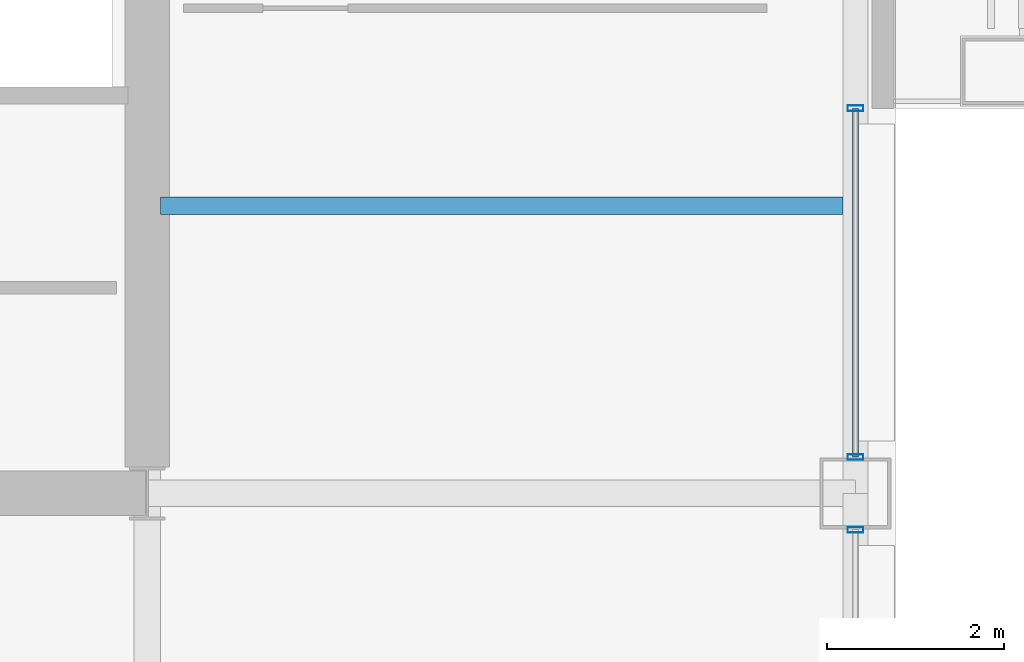
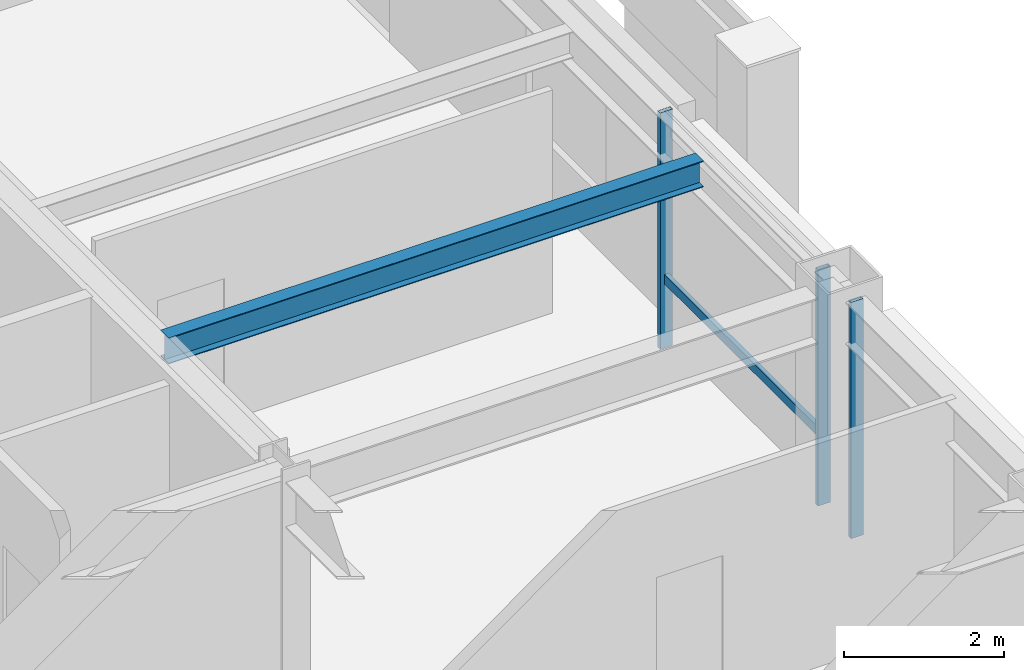
# One storey, part 14 of 29: 4 members, 1 beam, 2 elements without a shape of their own.
"""IFC4 building model written with IfcOpenShell, lengths in metres."""

from ifc_helpers import new_model, si_unit, direction, frame, origin, origin_2d, place, context, subcontext, project, spatial, hollow_rectangle, i_section, extrude, material, layer, layer_set, material_profile, profile_set, type_object, element, aggregate, save


model = new_model("IFC4")

# Units and contexts
model_context = context("Model", 3, precision=1e-05, world=origin(), true_north=direction((0.0, 1.0)))
body_context = subcontext(model_context, "Body", "Model", "MODEL_VIEW")
ifc_project = project(units=[si_unit("LENGTHUNIT", "METRE"), si_unit("AREAUNIT", "SQUARE_METRE"), si_unit("VOLUMEUNIT", "CUBIC_METRE"), si_unit("PLANEANGLEUNIT", "RADIAN"), si_unit("MASSUNIT", "GRAM", prefix="KILO")], contexts=[model_context])

# Site, building, storey
site_placement = place(None, origin())
site = spatial("IfcSite", under=ifc_project, at=site_placement, CompositionType="ELEMENT")
building_placement = place(site_placement, origin())
building = spatial("IfcBuilding", under=site, at=building_placement, Name="Brelmoor Portico Tower", CompositionType="ELEMENT")
storey_placement = place(building_placement, frame((0.0, 0.0, 127.800048828125)))
storey = spatial("IfcBuildingStorey", under=building, at=storey_placement, Name="L33", CompositionType="ELEMENT", Elevation=127.800048828125)

# Beam
ifc_material_1 = material(Name="Steel Q355B", Category="steel")
ifc_material_profile_1 = material_profile(ifc_material_1, i_section(OverallWidth=0.199951171875, OverallDepth=0.39990234375, WebThickness=0.008056640625, FlangeThickness=0.012939453125, at=origin_2d()), Name="HN 400x200x8x13")
ifc_profile_set_1 = profile_set([ifc_material_profile_1], Name="Steel Q355B")
beam_type = type_object("IfcBeamType", Name="BM-JS-400", PredefinedType="JOIST", material=ifc_profile_set_1)
beam_placement = place(storey_placement, frame((14.699951171875, -6.5, 3.199951171875), z_axis=(1.0, 0.0, 0.0), x_axis=(0.0, 1.0, 0.0)))
element("IfcBeam", 1, at=beam_placement, inside=storey, type_object=beam_type, Name="L33 Secondary Wing Joist JS-E09", PredefinedType="JOIST", context=body_context, shape_type="SweptSolid", body=[
    extrude(i_section(OverallWidth=0.199951171875, OverallDepth=0.39990234375, WebThickness=0.008056640625, FlangeThickness=0.012939453125, at=origin_2d()), origin(), (0.0, 0.0, 1.0), 7.7099609375),
])

# Curtain wall, member
ifc_material_2 = material(Name="Anodised Aluminium Alloy 6063-T6", Category="aluminium")
ifc_layer_1 = layer(ifc_material_2, 0.179931640625)
ifc_layer_set_1 = layer_set([ifc_layer_1], Name="Anodised Aluminium Alloy 6063-T6")
curtain_wall_type_1 = type_object("IfcCurtainWallType", Name="CW-TOWER-Z2-XB", PredefinedType="NOTDEFINED", material=ifc_layer_set_1)
curtain_wall_1_placement = place(storey_placement, origin())
curtain_wall_1 = element("IfcCurtainWall", 2, at=curtain_wall_1_placement, inside=storey, type_object=curtain_wall_type_1, Name="L33 Curtain Wall CW-L33-4L-1", PredefinedType="NOTDEFINED")
ifc_material_profile_2 = material_profile(ifc_material_2, hollow_rectangle(XDim=0.06494140625, YDim=0.179931640625, WallThickness=0.00390625, at=origin_2d()), Name="ALU MULLION 65x180")
ifc_profile_set_2 = profile_set([ifc_material_profile_2], Name="Anodised Aluminium Alloy 6063-T6")
member_type_1 = type_object("IfcMemberType", Name="MB-CW-MULL-180", PredefinedType="MULLION", material=ifc_profile_set_2)
member_1_placement = place(storey_placement, frame((22.550048828125, -10.159912109375, -0.199951171875), z_axis=(0.0, 0.0, 1.0), x_axis=(0.0, 1.0, 0.0)))
member_1 = element("IfcMember", 3, at=member_1_placement, type_object=member_type_1, Name="CW-L33-4L-1 Mullion 01", PredefinedType="MULLION", context=body_context, shape_type="SweptSolid", body=[
    extrude(hollow_rectangle(XDim=0.06494140625, YDim=0.179931640625, WallThickness=0.00390625, at=origin_2d()), origin(), (0.0, 0.0, 1.0), 3.599853515625),
])
aggregate(curtain_wall_1, [member_1])

# Curtain wall, members
ifc_layer_2 = layer(ifc_material_2, 0.179931640625)
ifc_layer_set_2 = layer_set([ifc_layer_2], Name="Anodised Aluminium Alloy 6063-T6")
curtain_wall_type_2 = type_object("IfcCurtainWallType", Name="CW-TOWER-Z2", PredefinedType="NOTDEFINED", material=ifc_layer_set_2)
curtain_wall_2_placement = place(storey_placement, origin())
curtain_wall_2 = element("IfcCurtainWall", 4, at=curtain_wall_2_placement, inside=storey, type_object=curtain_wall_type_2, Name="L33 Curtain Wall CW-L33-4L-2", PredefinedType="NOTDEFINED")
member_2_placement = place(storey_placement, frame((22.550048828125, -9.340087890625, -0.199951171875), z_axis=(0.0, 0.0, 1.0), x_axis=(0.0, 1.0, 0.0)))
member_2 = element("IfcMember", 5, at=member_2_placement, type_object=member_type_1, Name="CW-L33-4L-2 Mullion 00", PredefinedType="MULLION", context=body_context, shape_type="SweptSolid", body=[
    extrude(hollow_rectangle(XDim=0.06494140625, YDim=0.179931640625, WallThickness=0.00390625, at=origin_2d()), origin(), (0.0, 0.0, 1.0), 3.599853515625),
])
member_3_placement = place(storey_placement, frame((22.550048828125, -5.39990234375, -0.199951171875), z_axis=(0.0, 0.0, 1.0), x_axis=(0.0, 1.0, 0.0)))
member_3 = element("IfcMember", 6, at=member_3_placement, type_object=member_type_1, Name="CW-L33-4L-2 Mullion 01", PredefinedType="MULLION", context=body_context, shape_type="SweptSolid", body=[
    extrude(hollow_rectangle(XDim=0.06494140625, YDim=0.179931640625, WallThickness=0.00390625, at=origin_2d()), origin(), (0.0, 0.0, 1.0), 3.599853515625),
])
ifc_material_profile_3 = material_profile(ifc_material_2, hollow_rectangle(XDim=0.06494140625, YDim=0.139892578125, WallThickness=0.00390625, at=origin_2d()), Name="ALU TRANSOM 65x140")
ifc_profile_set_3 = profile_set([ifc_material_profile_3], Name="Anodised Aluminium Alloy 6063-T6")
member_type_2 = type_object("IfcMemberType", Name="MB-CW-TRAN-140", PredefinedType="USERDEFINED", material=ifc_profile_set_3)
member_4_placement = place(storey_placement, frame((22.550048828125, -9.340087890625, 0.849853515625), z_axis=(0.0, 1.0, 0.0), x_axis=(-1.0, 0.0, 0.0)))
member_4 = element("IfcMember", 7, at=member_4_placement, type_object=member_type_2, Name="CW-L33-4L-2 Transom 1-00", ObjectType="TRANSOM", PredefinedType="USERDEFINED", context=body_context, shape_type="SweptSolid", body=[
    extrude(hollow_rectangle(XDim=0.06494140625, YDim=0.139892578125, WallThickness=0.00390625, at=origin_2d()), origin(), (0.0, 0.0, 1.0), 3.940185546875),
])
aggregate(curtain_wall_2, [member_2, member_3, member_4])

save(model, "model.ifc")
